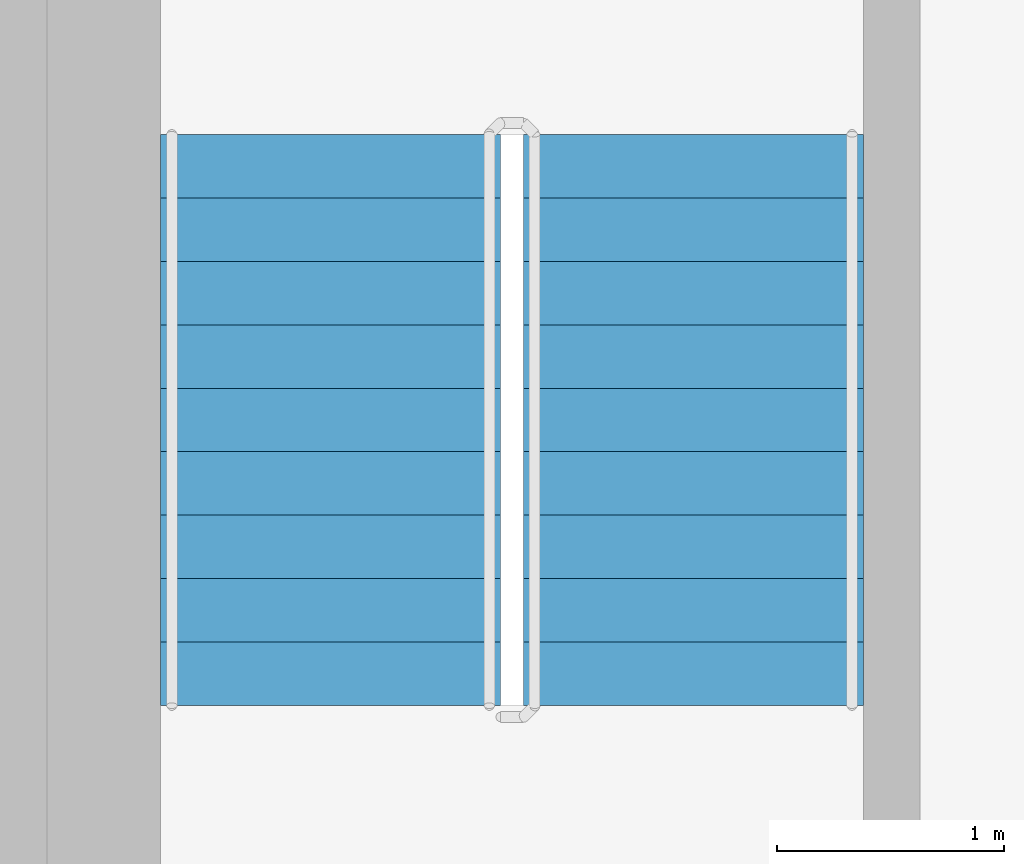
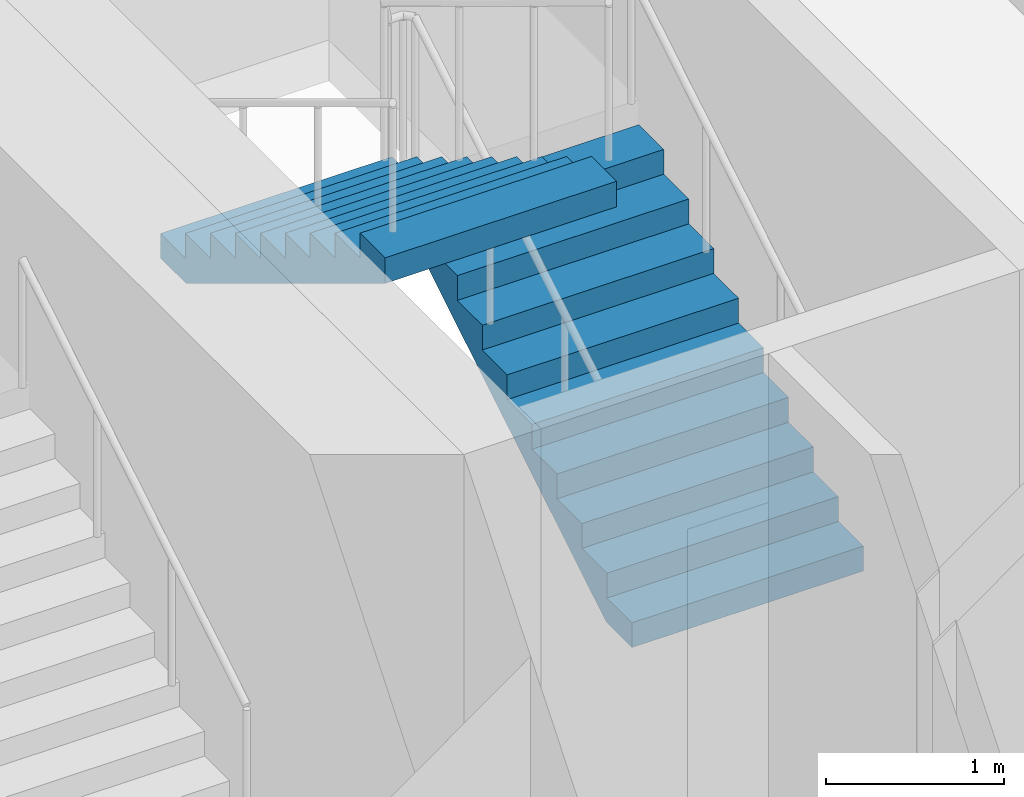
# One storey, part 13 of 22: 2 stair flights, 1 element without a shape of its own.
"""IFC4 building model written with IfcOpenShell, lengths in metres."""

from ifc_helpers import new_model, si_unit, direction, frame, origin, place, context, subcontext, project, spatial, triangles, source, transform, mapped, material, type_object, element, aggregate, save


model = new_model("IFC4")

# Units and contexts
model_context = context("Model", 3, precision=1e-05, world=origin(), true_north=direction((0.0, 1.0)))
body_context = subcontext(model_context, "Body", "Model", "MODEL_VIEW")
ifc_project = project(units=[si_unit("LENGTHUNIT", "METRE"), si_unit("AREAUNIT", "SQUARE_METRE"), si_unit("VOLUMEUNIT", "CUBIC_METRE"), si_unit("PLANEANGLEUNIT", "RADIAN"), si_unit("MASSUNIT", "GRAM", prefix="KILO")], contexts=[model_context])

# Site, building, storey
site_placement = place(None, origin())
site = spatial("IfcSite", under=ifc_project, at=site_placement, CompositionType="ELEMENT")
building_placement = place(site_placement, origin())
building = spatial("IfcBuilding", under=site, at=building_placement, Name="Kilnfold Tower and Market Hall", CompositionType="ELEMENT")
storey_placement = place(building_placement, frame((0.0, 0.0, 188.89990234375)))
storey = spatial("IfcBuildingStorey", under=building, at=storey_placement, Name="L45", CompositionType="ELEMENT", Elevation=188.89990234375)

# Stair, stair flights
ifc_material_1 = material(Name="Concrete C40/50", Category="concrete")
stair_type = type_object("IfcStairType", Name="CORE STAIR 1500", PredefinedType="HALF_TURN_STAIR", material=ifc_material_1)
stair_placement = place(storey_placement, origin())
stair = element("IfcStair", 1, at=stair_placement, inside=storey, type_object=stair_type, Name="L45 ST5", PredefinedType="HALF_TURN_STAIR")
ifc_material_2 = material(Name="Concrete C40/50", Category="concrete")
stair_flight_type = type_object("IfcStairFlightType", Name="CORE STAIR FLIGHT 1500", PredefinedType="STRAIGHT", material=ifc_material_2)
shared_shape = source(origin(), body_context, "Body", "Tessellation", [
    triangles([(0.0, 0.75, 0.0), (0.0, 0.65625, 0.0), (0.0, 0.5625, 0.0), (0.0, 0.46875, 0.0), (0.0, 0.375, 0.0), (0.0, 0.28125, 0.0), (0.0, 0.1875, 0.0), (0.0, 0.09375, 0.0), (0.0, 0.0, 0.0), (0.0, -0.09375, 0.0), (0.0, -0.1875, 0.0), (0.0, -0.28125, 0.0), (0.0, -0.375, 0.0), (0.0, -0.46875, 0.0), (0.0, -0.5625, 0.0), (0.0, -0.65625, 0.0), (0.0, -0.75, 0.0), (0.0, 0.75, 0.169921875), (0.0, 0.65625, 0.169921875), (0.0, 0.5625, 0.169921875), (0.0, 0.46875, 0.169921875), (0.0, 0.375, 0.169921875), (0.0, 0.28125, 0.169921875), (0.0, 0.1875, 0.169921875), (0.0, 0.09375, 0.169921875), (0.0, 0.0, 0.169921875), (0.0, -0.09375, 0.169921875), (0.0, -0.1875, 0.169921875), (0.0, -0.28125, 0.169921875), (0.0, -0.375, 0.169921875), (0.0, -0.46875, 0.169921875), (0.0, -0.5625, 0.169921875), (0.0, -0.65625, 0.169921875), (0.0, -0.75, 0.169921875), (0.280029296875, 0.75, 0.169921875), (0.280029296875, 0.65625, 0.169921875), (0.280029296875, 0.5625, 0.169921875), (0.280029296875, 0.46875, 0.169921875), (0.280029296875, 0.375, 0.169921875), (0.280029296875, 0.28125, 0.169921875), (0.280029296875, 0.1875, 0.169921875), (0.280029296875, 0.09375, 0.169921875), (0.280029296875, 0.0, 0.169921875), (0.280029296875, -0.09375, 0.169921875), (0.280029296875, -0.1875, 0.169921875), (0.280029296875, -0.28125, 0.169921875), (0.280029296875, -0.375, 0.169921875), (0.280029296875, -0.46875, 0.169921875), (0.280029296875, -0.5625, 0.169921875), (0.280029296875, -0.65625, 0.169921875), (0.280029296875, -0.75, 0.169921875), (0.280029296875, 0.75, 0.340087890625), (0.280029296875, 0.65625, 0.340087890625), (0.280029296875, 0.5625, 0.340087890625), (0.280029296875, 0.46875, 0.340087890625), (0.280029296875, 0.375, 0.340087890625), (0.280029296875, 0.28125, 0.340087890625), (0.280029296875, 0.1875, 0.340087890625), (0.280029296875, 0.09375, 0.340087890625), (0.280029296875, 0.0, 0.340087890625), (0.280029296875, -0.09375, 0.340087890625), (0.280029296875, -0.1875, 0.340087890625), (0.280029296875, -0.28125, 0.340087890625), (0.280029296875, -0.375, 0.340087890625), (0.280029296875, -0.46875, 0.340087890625), (0.280029296875, -0.5625, 0.340087890625), (0.280029296875, -0.65625, 0.340087890625), (0.280029296875, -0.75, 0.340087890625), (0.56005859375, 0.75, 0.340087890625), (0.56005859375, 0.65625, 0.340087890625), (0.56005859375, 0.5625, 0.340087890625), (0.56005859375, 0.46875, 0.340087890625), (0.56005859375, 0.375, 0.340087890625), (0.56005859375, 0.28125, 0.340087890625), (0.56005859375, 0.1875, 0.340087890625), (0.56005859375, 0.09375, 0.340087890625), (0.56005859375, 0.0, 0.340087890625), (0.56005859375, -0.09375, 0.340087890625), (0.56005859375, -0.1875, 0.340087890625), (0.56005859375, -0.28125, 0.340087890625), (0.56005859375, -0.375, 0.340087890625), (0.56005859375, -0.46875, 0.340087890625), (0.56005859375, -0.5625, 0.340087890625), (0.56005859375, -0.65625, 0.340087890625), (0.56005859375, -0.75, 0.340087890625), (0.56005859375, 0.75, 0.510009765625), (0.56005859375, 0.65625, 0.510009765625), (0.56005859375, 0.5625, 0.510009765625), (0.56005859375, 0.46875, 0.510009765625), (0.56005859375, 0.375, 0.510009765625), (0.56005859375, 0.28125, 0.510009765625), (0.56005859375, 0.1875, 0.510009765625), (0.56005859375, 0.09375, 0.510009765625), (0.56005859375, 0.0, 0.510009765625), (0.56005859375, -0.09375, 0.510009765625), (0.56005859375, -0.1875, 0.510009765625), (0.56005859375, -0.28125, 0.510009765625), (0.56005859375, -0.375, 0.510009765625), (0.56005859375, -0.46875, 0.510009765625), (0.56005859375, -0.5625, 0.510009765625), (0.56005859375, -0.65625, 0.510009765625), (0.56005859375, -0.75, 0.510009765625), (0.840087890625, 0.75, 0.510009765625), (0.840087890625, 0.65625, 0.510009765625), (0.840087890625, 0.5625, 0.510009765625), (0.840087890625, 0.46875, 0.510009765625), (0.840087890625, 0.375, 0.510009765625), (0.840087890625, 0.28125, 0.510009765625), (0.840087890625, 0.1875, 0.510009765625), (0.840087890625, 0.09375, 0.510009765625), (0.840087890625, 0.0, 0.510009765625), (0.840087890625, -0.09375, 0.510009765625), (0.840087890625, -0.1875, 0.510009765625), (0.840087890625, -0.28125, 0.510009765625), (0.840087890625, -0.375, 0.510009765625), (0.840087890625, -0.46875, 0.510009765625), (0.840087890625, -0.5625, 0.510009765625), (0.840087890625, -0.65625, 0.510009765625), (0.840087890625, -0.75, 0.510009765625), (0.840087890625, 0.75, 0.679931640625), (0.840087890625, 0.65625, 0.679931640625), (0.840087890625, 0.5625, 0.679931640625), (0.840087890625, 0.46875, 0.679931640625), (0.840087890625, 0.375, 0.679931640625), (0.840087890625, 0.28125, 0.679931640625), (0.840087890625, 0.1875, 0.679931640625), (0.840087890625, 0.09375, 0.679931640625), (0.840087890625, 0.0, 0.679931640625), (0.840087890625, -0.09375, 0.679931640625), (0.840087890625, -0.1875, 0.679931640625), (0.840087890625, -0.28125, 0.679931640625), (0.840087890625, -0.375, 0.679931640625), (0.840087890625, -0.46875, 0.679931640625), (0.840087890625, -0.5625, 0.679931640625), (0.840087890625, -0.65625, 0.679931640625), (0.840087890625, -0.75, 0.679931640625), (1.1201171875, 0.75, 0.679931640625), (1.1201171875, 0.65625, 0.679931640625), (1.1201171875, 0.5625, 0.679931640625), (1.1201171875, 0.46875, 0.679931640625), (1.1201171875, 0.375, 0.679931640625), (1.1201171875, 0.28125, 0.679931640625), (1.1201171875, 0.1875, 0.679931640625), (1.1201171875, 0.09375, 0.679931640625), (1.1201171875, 0.0, 0.679931640625), (1.1201171875, -0.09375, 0.679931640625), (1.1201171875, -0.1875, 0.679931640625), (1.1201171875, -0.28125, 0.679931640625), (1.1201171875, -0.375, 0.679931640625), (1.1201171875, -0.46875, 0.679931640625), (1.1201171875, -0.5625, 0.679931640625), (1.1201171875, -0.65625, 0.679931640625), (1.1201171875, -0.75, 0.679931640625), (1.1201171875, 0.75, 0.85009765625), (1.1201171875, 0.65625, 0.85009765625), (1.1201171875, 0.5625, 0.85009765625), (1.1201171875, 0.46875, 0.85009765625), (1.1201171875, 0.375, 0.85009765625), (1.1201171875, 0.28125, 0.85009765625), (1.1201171875, 0.1875, 0.85009765625), (1.1201171875, 0.09375, 0.85009765625), (1.1201171875, 0.0, 0.85009765625), (1.1201171875, -0.09375, 0.85009765625), (1.1201171875, -0.1875, 0.85009765625), (1.1201171875, -0.28125, 0.85009765625), (1.1201171875, -0.375, 0.85009765625), (1.1201171875, -0.46875, 0.85009765625), (1.1201171875, -0.5625, 0.85009765625), (1.1201171875, -0.65625, 0.85009765625), (1.1201171875, -0.75, 0.85009765625), (1.39990234375, 0.75, 0.85009765625), (1.39990234375, 0.65625, 0.85009765625), (1.39990234375, 0.5625, 0.85009765625), (1.39990234375, 0.46875, 0.85009765625), (1.39990234375, 0.375, 0.85009765625), (1.39990234375, 0.28125, 0.85009765625), (1.39990234375, 0.1875, 0.85009765625), (1.39990234375, 0.09375, 0.85009765625), (1.39990234375, 0.0, 0.85009765625), (1.39990234375, -0.09375, 0.85009765625), (1.39990234375, -0.1875, 0.85009765625), (1.39990234375, -0.28125, 0.85009765625), (1.39990234375, -0.375, 0.85009765625), (1.39990234375, -0.46875, 0.85009765625), (1.39990234375, -0.5625, 0.85009765625), (1.39990234375, -0.65625, 0.85009765625), (1.39990234375, -0.75, 0.85009765625), (1.39990234375, 0.75, 1.02001953125), (1.39990234375, 0.65625, 1.02001953125), (1.39990234375, 0.5625, 1.02001953125), (1.39990234375, 0.46875, 1.02001953125), (1.39990234375, 0.375, 1.02001953125), (1.39990234375, 0.28125, 1.02001953125), (1.39990234375, 0.1875, 1.02001953125), (1.39990234375, 0.09375, 1.02001953125), (1.39990234375, 0.0, 1.02001953125), (1.39990234375, -0.09375, 1.02001953125), (1.39990234375, -0.1875, 1.02001953125), (1.39990234375, -0.28125, 1.02001953125), (1.39990234375, -0.375, 1.02001953125), (1.39990234375, -0.46875, 1.02001953125), (1.39990234375, -0.5625, 1.02001953125), (1.39990234375, -0.65625, 1.02001953125), (1.39990234375, -0.75, 1.02001953125), (1.679931640625, 0.75, 1.02001953125), (1.679931640625, 0.65625, 1.02001953125), (1.679931640625, 0.5625, 1.02001953125), (1.679931640625, 0.46875, 1.02001953125), (1.679931640625, 0.375, 1.02001953125), (1.679931640625, 0.28125, 1.02001953125), (1.679931640625, 0.1875, 1.02001953125), (1.679931640625, 0.09375, 1.02001953125), (1.679931640625, 0.0, 1.02001953125), (1.679931640625, -0.09375, 1.02001953125), (1.679931640625, -0.1875, 1.02001953125), (1.679931640625, -0.28125, 1.02001953125), (1.679931640625, -0.375, 1.02001953125), (1.679931640625, -0.46875, 1.02001953125), (1.679931640625, -0.5625, 1.02001953125), (1.679931640625, -0.65625, 1.02001953125), (1.679931640625, -0.75, 1.02001953125), (1.679931640625, 0.75, 1.18994140625), (1.679931640625, 0.65625, 1.18994140625), (1.679931640625, 0.5625, 1.18994140625), (1.679931640625, 0.46875, 1.18994140625), (1.679931640625, 0.375, 1.18994140625), (1.679931640625, 0.28125, 1.18994140625), (1.679931640625, 0.1875, 1.18994140625), (1.679931640625, 0.09375, 1.18994140625), (1.679931640625, 0.0, 1.18994140625), (1.679931640625, -0.09375, 1.18994140625), (1.679931640625, -0.1875, 1.18994140625), (1.679931640625, -0.28125, 1.18994140625), (1.679931640625, -0.375, 1.18994140625), (1.679931640625, -0.46875, 1.18994140625), (1.679931640625, -0.5625, 1.18994140625), (1.679931640625, -0.65625, 1.18994140625), (1.679931640625, -0.75, 1.18994140625), (1.9599609375, 0.75, 1.18994140625), (1.9599609375, 0.65625, 1.18994140625), (1.9599609375, 0.5625, 1.18994140625), (1.9599609375, 0.46875, 1.18994140625), (1.9599609375, 0.375, 1.18994140625), (1.9599609375, 0.28125, 1.18994140625), (1.9599609375, 0.1875, 1.18994140625), (1.9599609375, 0.09375, 1.18994140625), (1.9599609375, 0.0, 1.18994140625), (1.9599609375, -0.09375, 1.18994140625), (1.9599609375, -0.1875, 1.18994140625), (1.9599609375, -0.28125, 1.18994140625), (1.9599609375, -0.375, 1.18994140625), (1.9599609375, -0.46875, 1.18994140625), (1.9599609375, -0.5625, 1.18994140625), (1.9599609375, -0.65625, 1.18994140625), (1.9599609375, -0.75, 1.18994140625), (1.9599609375, 0.75, 1.360107421875), (1.9599609375, 0.65625, 1.360107421875), (1.9599609375, 0.5625, 1.360107421875), (1.9599609375, 0.46875, 1.360107421875), (1.9599609375, 0.375, 1.360107421875), (1.9599609375, 0.28125, 1.360107421875), (1.9599609375, 0.1875, 1.360107421875), (1.9599609375, 0.09375, 1.360107421875), (1.9599609375, 0.0, 1.360107421875), (1.9599609375, -0.09375, 1.360107421875), (1.9599609375, -0.1875, 1.360107421875), (1.9599609375, -0.28125, 1.360107421875), (1.9599609375, -0.375, 1.360107421875), (1.9599609375, -0.46875, 1.360107421875), (1.9599609375, -0.5625, 1.360107421875), (1.9599609375, -0.65625, 1.360107421875), (1.9599609375, -0.75, 1.360107421875), (2.239990234375, 0.75, 1.360107421875), (2.239990234375, 0.65625, 1.360107421875), (2.239990234375, 0.5625, 1.360107421875), (2.239990234375, 0.46875, 1.360107421875), (2.239990234375, 0.375, 1.360107421875), (2.239990234375, 0.28125, 1.360107421875), (2.239990234375, 0.1875, 1.360107421875), (2.239990234375, 0.09375, 1.360107421875), (2.239990234375, 0.0, 1.360107421875), (2.239990234375, -0.09375, 1.360107421875), (2.239990234375, -0.1875, 1.360107421875), (2.239990234375, -0.28125, 1.360107421875), (2.239990234375, -0.375, 1.360107421875), (2.239990234375, -0.46875, 1.360107421875), (2.239990234375, -0.5625, 1.360107421875), (2.239990234375, -0.65625, 1.360107421875), (2.239990234375, -0.75, 1.360107421875), (2.239990234375, 0.75, 1.530029296875), (2.239990234375, 0.65625, 1.530029296875), (2.239990234375, 0.5625, 1.530029296875), (2.239990234375, 0.46875, 1.530029296875), (2.239990234375, 0.375, 1.530029296875), (2.239990234375, 0.28125, 1.530029296875), (2.239990234375, 0.1875, 1.530029296875), (2.239990234375, 0.09375, 1.530029296875), (2.239990234375, 0.0, 1.530029296875), (2.239990234375, -0.09375, 1.530029296875), (2.239990234375, -0.1875, 1.530029296875), (2.239990234375, -0.28125, 1.530029296875), (2.239990234375, -0.375, 1.530029296875), (2.239990234375, -0.46875, 1.530029296875), (2.239990234375, -0.5625, 1.530029296875), (2.239990234375, -0.65625, 1.530029296875), (2.239990234375, -0.75, 1.530029296875), (2.52001953125, 0.75, 1.530029296875), (2.52001953125, 0.65625, 1.530029296875), (2.52001953125, 0.5625, 1.530029296875), (2.52001953125, 0.46875, 1.530029296875), (2.52001953125, 0.375, 1.530029296875), (2.52001953125, 0.28125, 1.530029296875), (2.52001953125, 0.1875, 1.530029296875), (2.52001953125, 0.09375, 1.530029296875), (2.52001953125, 0.0, 1.530029296875), (2.52001953125, -0.09375, 1.530029296875), (2.52001953125, -0.1875, 1.530029296875), (2.52001953125, -0.28125, 1.530029296875), (2.52001953125, -0.375, 1.530029296875), (2.52001953125, -0.46875, 1.530029296875), (2.52001953125, -0.5625, 1.530029296875), (2.52001953125, -0.65625, 1.530029296875), (2.52001953125, -0.75, 1.530029296875), (2.52001953125, 0.75, 1.354736328125), (2.52001953125, 0.65625, 1.354736328125), (2.52001953125, 0.5625, 1.354736328125), (2.52001953125, 0.46875, 1.354736328125), (2.52001953125, 0.375, 1.354736328125), (2.52001953125, 0.28125, 1.354736328125), (2.52001953125, 0.1875, 1.354736328125), (2.52001953125, 0.09375, 1.354736328125), (2.52001953125, 0.0, 1.354736328125), (2.52001953125, -0.09375, 1.354736328125), (2.52001953125, -0.1875, 1.354736328125), (2.52001953125, -0.28125, 1.354736328125), (2.52001953125, -0.375, 1.354736328125), (2.52001953125, -0.46875, 1.354736328125), (2.52001953125, -0.5625, 1.354736328125), (2.52001953125, -0.65625, 1.354736328125), (2.52001953125, -0.75, 1.354736328125), (0.288818359375, 0.75, 0.0), (0.288818359375, 0.65625, 0.0), (0.288818359375, 0.5625, 0.0), (0.288818359375, 0.46875, 0.0), (0.288818359375, 0.375, 0.0), (0.288818359375, 0.28125, 0.0), (0.288818359375, 0.1875, 0.0), (0.288818359375, 0.09375, 0.0), (0.288818359375, 0.0, 0.0), (0.288818359375, -0.09375, 0.0), (0.288818359375, -0.1875, 0.0), (0.288818359375, -0.28125, 0.0), (0.288818359375, -0.375, 0.0), (0.288818359375, -0.46875, 0.0), (0.288818359375, -0.5625, 0.0), (0.288818359375, -0.65625, 0.0), (0.288818359375, -0.75, 0.0)], [[1, 324, 341], [17, 357, 340], [324, 290, 307], [340, 323, 306], [324, 273, 290], [340, 306, 289], [324, 256, 273], [340, 289, 272], [324, 239, 256], [340, 272, 255], [239, 205, 222], [255, 238, 221], [324, 205, 239], [340, 255, 221], [205, 171, 188], [221, 204, 187], [324, 171, 205], [340, 221, 187], [171, 137, 154], [187, 170, 153], [324, 137, 171], [340, 187, 153], [137, 103, 120], [153, 136, 119], [324, 103, 137], [340, 153, 119], [103, 69, 86], [119, 102, 85], [324, 69, 103], [340, 119, 85], [69, 35, 52], [85, 68, 51], [324, 35, 69], [340, 85, 51], [1, 35, 324], [17, 340, 51], [35, 1, 18], [51, 34, 17], [1, 19, 18], [1, 2, 19], [2, 20, 19], [2, 3, 20], [3, 21, 20], [3, 4, 21], [4, 22, 21], [4, 5, 22], [5, 23, 22], [5, 6, 23], [6, 24, 23], [6, 7, 24], [7, 25, 24], [7, 8, 25], [8, 26, 25], [8, 9, 26], [9, 27, 26], [9, 10, 27], [10, 28, 27], [10, 11, 28], [11, 29, 28], [11, 12, 29], [12, 30, 29], [12, 13, 30], [13, 31, 30], [13, 14, 31], [14, 32, 31], [14, 15, 32], [15, 33, 32], [15, 16, 33], [16, 34, 33], [16, 17, 34], [18, 36, 35], [18, 19, 36], [19, 37, 36], [19, 20, 37], [20, 38, 37], [20, 21, 38], [21, 39, 38], [21, 22, 39], [22, 40, 39], [22, 23, 40], [23, 41, 40], [23, 24, 41], [24, 42, 41], [24, 25, 42], [25, 43, 42], [25, 26, 43], [26, 44, 43], [26, 27, 44], [27, 45, 44], [27, 28, 45], [28, 46, 45], [28, 29, 46], [29, 47, 46], [29, 30, 47], [30, 48, 47], [30, 31, 48], [31, 49, 48], [31, 32, 49], [32, 50, 49], [32, 33, 50], [33, 51, 50], [33, 34, 51], [35, 53, 52], [35, 36, 53], [36, 54, 53], [36, 37, 54], [37, 55, 54], [37, 38, 55], [38, 56, 55], [38, 39, 56], [39, 57, 56], [39, 40, 57], [40, 58, 57], [40, 41, 58], [41, 59, 58], [41, 42, 59], [42, 60, 59], [42, 43, 60], [43, 61, 60], [43, 44, 61], [44, 62, 61], [44, 45, 62], [45, 63, 62], [45, 46, 63], [46, 64, 63], [46, 47, 64], [47, 65, 64], [47, 48, 65], [48, 66, 65], [48, 49, 66], [49, 67, 66], [49, 50, 67], [50, 68, 67], [50, 51, 68], [52, 70, 69], [52, 53, 70], [53, 71, 70], [53, 54, 71], [54, 72, 71], [54, 55, 72], [55, 73, 72], [55, 56, 73], [56, 74, 73], [56, 57, 74], [57, 75, 74], [57, 58, 75], [58, 76, 75], [58, 59, 76], [59, 77, 76], [59, 60, 77], [60, 78, 77], [60, 61, 78], [61, 79, 78], [61, 62, 79], [62, 80, 79], [62, 63, 80], [63, 81, 80], [63, 64, 81], [64, 82, 81], [64, 65, 82], [65, 83, 82], [65, 66, 83], [66, 84, 83], [66, 67, 84], [67, 85, 84], [67, 68, 85], [69, 87, 86], [69, 70, 87], [70, 88, 87], [70, 71, 88], [71, 89, 88], [71, 72, 89], [72, 90, 89], [72, 73, 90], [73, 91, 90], [73, 74, 91], [74, 92, 91], [74, 75, 92], [75, 93, 92], [75, 76, 93], [76, 94, 93], [76, 77, 94], [77, 95, 94], [77, 78, 95], [78, 96, 95], [78, 79, 96], [79, 97, 96], [79, 80, 97], [80, 98, 97], [80, 81, 98], [81, 99, 98], [81, 82, 99], [82, 100, 99], [82, 83, 100], [83, 101, 100], [83, 84, 101], [84, 102, 101], [84, 85, 102], [86, 104, 103], [86, 87, 104], [87, 105, 104], [87, 88, 105], [88, 106, 105], [88, 89, 106], [89, 107, 106], [89, 90, 107], [90, 108, 107], [90, 91, 108], [91, 109, 108], [91, 92, 109], [92, 110, 109], [92, 93, 110], [93, 111, 110], [93, 94, 111], [94, 112, 111], [94, 95, 112], [95, 113, 112], [95, 96, 113], [96, 114, 113], [96, 97, 114], [97, 115, 114], [97, 98, 115], [98, 116, 115], [98, 99, 116], [99, 117, 116], [99, 100, 117], [100, 118, 117], [100, 101, 118], [101, 119, 118], [101, 102, 119], [103, 121, 120], [103, 104, 121], [104, 122, 121], [104, 105, 122], [105, 123, 122], [105, 106, 123], [106, 124, 123], [106, 107, 124], [107, 125, 124], [107, 108, 125], [108, 126, 125], [108, 109, 126], [109, 127, 126], [109, 110, 127], [110, 128, 127], [110, 111, 128], [111, 129, 128], [111, 112, 129], [112, 130, 129], [112, 113, 130], [113, 131, 130], [113, 114, 131], [114, 132, 131], [114, 115, 132], [115, 133, 132], [115, 116, 133], [116, 134, 133], [116, 117, 134], [117, 135, 134], [117, 118, 135], [118, 136, 135], [118, 119, 136], [120, 138, 137], [120, 121, 138], [121, 139, 138], [121, 122, 139], [122, 140, 139], [122, 123, 140], [123, 141, 140], [123, 124, 141], [124, 142, 141], [124, 125, 142], [125, 143, 142], [125, 126, 143], [126, 144, 143], [126, 127, 144], [127, 145, 144], [127, 128, 145], [128, 146, 145], [128, 129, 146], [129, 147, 146], [129, 130, 147], [130, 148, 147], [130, 131, 148], [131, 149, 148], [131, 132, 149], [132, 150, 149], [132, 133, 150], [133, 151, 150], [133, 134, 151], [134, 152, 151], [134, 135, 152], [135, 153, 152], [135, 136, 153], [137, 155, 154], [137, 138, 155], [138, 156, 155], [138, 139, 156], [139, 157, 156], [139, 140, 157], [140, 158, 157], [140, 141, 158], [141, 159, 158], [141, 142, 159], [142, 160, 159], [142, 143, 160], [143, 161, 160], [143, 144, 161], [144, 162, 161], [144, 145, 162], [145, 163, 162], [145, 146, 163], [146, 164, 163], [146, 147, 164], [147, 165, 164], [147, 148, 165], [148, 166, 165], [148, 149, 166], [149, 167, 166], [149, 150, 167], [150, 168, 167], [150, 151, 168], [151, 169, 168], [151, 152, 169], [152, 170, 169], [152, 153, 170], [154, 172, 171], [154, 155, 172], [155, 173, 172], [155, 156, 173], [156, 174, 173], [156, 157, 174], [157, 175, 174], [157, 158, 175], [158, 176, 175], [158, 159, 176], [159, 177, 176], [159, 160, 177], [160, 178, 177], [160, 161, 178], [161, 179, 178], [161, 162, 179], [162, 180, 179], [162, 163, 180], [163, 181, 180], [163, 164, 181], [164, 182, 181], [164, 165, 182], [165, 183, 182], [165, 166, 183], [166, 184, 183], [166, 167, 184], [167, 185, 184], [167, 168, 185], [168, 186, 185], [168, 169, 186], [169, 187, 186], [169, 170, 187], [171, 189, 188], [171, 172, 189], [172, 190, 189], [172, 173, 190], [173, 191, 190], [173, 174, 191], [174, 192, 191], [174, 175, 192], [175, 193, 192], [175, 176, 193], [176, 194, 193], [176, 177, 194], [177, 195, 194], [177, 178, 195], [178, 196, 195], [178, 179, 196], [179, 197, 196], [179, 180, 197], [180, 198, 197], [180, 181, 198], [181, 199, 198], [181, 182, 199], [182, 200, 199], [182, 183, 200], [183, 201, 200], [183, 184, 201], [184, 202, 201], [184, 185, 202], [185, 203, 202], [185, 186, 203], [186, 204, 203], [186, 187, 204], [188, 206, 205], [188, 189, 206], [189, 207, 206], [189, 190, 207], [190, 208, 207], [190, 191, 208], [191, 209, 208], [191, 192, 209], [192, 210, 209], [192, 193, 210], [193, 211, 210], [193, 194, 211], [194, 212, 211], [194, 195, 212], [195, 213, 212], [195, 196, 213], [196, 214, 213], [196, 197, 214], [197, 215, 214], [197, 198, 215], [198, 216, 215], [198, 199, 216], [199, 217, 216], [199, 200, 217], [200, 218, 217], [200, 201, 218], [201, 219, 218], [201, 202, 219], [202, 220, 219], [202, 203, 220], [203, 221, 220], [203, 204, 221], [205, 223, 222], [205, 206, 223], [206, 224, 223], [206, 207, 224], [207, 225, 224], [207, 208, 225], [208, 226, 225], [208, 209, 226], [209, 227, 226], [209, 210, 227], [210, 228, 227], [210, 211, 228], [211, 229, 228], [211, 212, 229], [212, 230, 229], [212, 213, 230], [213, 231, 230], [213, 214, 231], [214, 232, 231], [214, 215, 232], [215, 233, 232], [215, 216, 233], [216, 234, 233], [216, 217, 234], [217, 235, 234], [217, 218, 235], [218, 236, 235], [218, 219, 236], [219, 237, 236], [219, 220, 237], [220, 238, 237], [220, 221, 238], [222, 240, 239], [222, 223, 240], [223, 241, 240], [223, 224, 241], [224, 242, 241], [224, 225, 242], [225, 243, 242], [225, 226, 243], [226, 244, 243], [226, 227, 244], [227, 245, 244], [227, 228, 245], [228, 246, 245], [228, 229, 246], [229, 247, 246], [229, 230, 247], [230, 248, 247], [230, 231, 248], [231, 249, 248], [231, 232, 249], [232, 250, 249], [232, 233, 250], [233, 251, 250], [233, 234, 251], [234, 252, 251], [234, 235, 252], [235, 253, 252], [235, 236, 253], [236, 254, 253], [236, 237, 254], [237, 255, 254], [237, 238, 255], [239, 257, 256], [239, 240, 257], [240, 258, 257], [240, 241, 258], [241, 259, 258], [241, 242, 259], [242, 260, 259], [242, 243, 260], [243, 261, 260], [243, 244, 261], [244, 262, 261], [244, 245, 262], [245, 263, 262], [245, 246, 263], [246, 264, 263], [246, 247, 264], [247, 265, 264], [247, 248, 265], [248, 266, 265], [248, 249, 266], [249, 267, 266], [249, 250, 267], [250, 268, 267], [250, 251, 268], [251, 269, 268], [251, 252, 269], [252, 270, 269], [252, 253, 270], [253, 271, 270], [253, 254, 271], [254, 272, 271], [254, 255, 272], [256, 274, 273], [256, 257, 274], [257, 275, 274], [257, 258, 275], [258, 276, 275], [258, 259, 276], [259, 277, 276], [259, 260, 277], [260, 278, 277], [260, 261, 278], [261, 279, 278], [261, 262, 279], [262, 280, 279], [262, 263, 280], [263, 281, 280], [263, 264, 281], [264, 282, 281], [264, 265, 282], [265, 283, 282], [265, 266, 283], [266, 284, 283], [266, 267, 284], [267, 285, 284], [267, 268, 285], [268, 286, 285], [268, 269, 286], [269, 287, 286], [269, 270, 287], [270, 288, 287], [270, 271, 288], [271, 289, 288], [271, 272, 289], [273, 291, 290], [273, 274, 291], [274, 292, 291], [274, 275, 292], [275, 293, 292], [275, 276, 293], [276, 294, 293], [276, 277, 294], [277, 295, 294], [277, 278, 295], [278, 296, 295], [278, 279, 296], [279, 297, 296], [279, 280, 297], [280, 298, 297], [280, 281, 298], [281, 299, 298], [281, 282, 299], [282, 300, 299], [282, 283, 300], [283, 301, 300], [283, 284, 301], [284, 302, 301], [284, 285, 302], [285, 303, 302], [285, 286, 303], [286, 304, 303], [286, 287, 304], [287, 305, 304], [287, 288, 305], [288, 306, 305], [288, 289, 306], [290, 308, 307], [290, 291, 308], [291, 309, 308], [291, 292, 309], [292, 310, 309], [292, 293, 310], [293, 311, 310], [293, 294, 311], [294, 312, 311], [294, 295, 312], [295, 313, 312], [295, 296, 313], [296, 314, 313], [296, 297, 314], [297, 315, 314], [297, 298, 315], [298, 316, 315], [298, 299, 316], [299, 317, 316], [299, 300, 317], [300, 318, 317], [300, 301, 318], [301, 319, 318], [301, 302, 319], [302, 320, 319], [302, 303, 320], [303, 321, 320], [303, 304, 321], [304, 322, 321], [304, 305, 322], [305, 323, 322], [305, 306, 323], [307, 325, 324], [307, 308, 325], [308, 326, 325], [308, 309, 326], [309, 327, 326], [309, 310, 327], [310, 328, 327], [310, 311, 328], [311, 329, 328], [311, 312, 329], [312, 330, 329], [312, 313, 330], [313, 331, 330], [313, 314, 331], [314, 332, 331], [314, 315, 332], [315, 333, 332], [315, 316, 333], [316, 334, 333], [316, 317, 334], [317, 335, 334], [317, 318, 335], [318, 336, 335], [318, 319, 336], [319, 337, 336], [319, 320, 337], [320, 338, 337], [320, 321, 338], [321, 339, 338], [321, 322, 339], [322, 340, 339], [322, 323, 340], [324, 342, 341], [324, 325, 342], [325, 343, 342], [325, 326, 343], [326, 344, 343], [326, 327, 344], [327, 345, 344], [327, 328, 345], [328, 346, 345], [328, 329, 346], [329, 347, 346], [329, 330, 347], [330, 348, 347], [330, 331, 348], [331, 349, 348], [331, 332, 349], [332, 350, 349], [332, 333, 350], [333, 351, 350], [333, 334, 351], [334, 352, 351], [334, 335, 352], [335, 353, 352], [335, 336, 353], [336, 354, 353], [336, 337, 354], [337, 355, 354], [337, 338, 355], [338, 356, 355], [338, 339, 356], [339, 357, 356], [339, 340, 357], [341, 2, 1], [341, 342, 2], [342, 3, 2], [342, 343, 3], [343, 4, 3], [343, 344, 4], [344, 5, 4], [344, 345, 5], [345, 6, 5], [345, 346, 6], [346, 7, 6], [346, 347, 7], [347, 8, 7], [347, 348, 8], [348, 9, 8], [348, 349, 9], [349, 10, 9], [349, 350, 10], [350, 11, 10], [350, 351, 11], [351, 12, 11], [351, 352, 12], [352, 13, 12], [352, 353, 13], [353, 14, 13], [353, 354, 14], [354, 15, 14], [354, 355, 15], [355, 16, 15], [355, 356, 16], [356, 17, 16], [356, 357, 17]], closed=True),
])
stair_flight_1_placement = place(storey_placement, frame((20.699951171875, 11.5, 0.0), z_axis=(0.0, 0.0, 1.0), x_axis=(0.0, 1.0, 0.0)))
stair_flight_1 = element("IfcStairFlight", 2, at=stair_flight_1_placement, type_object=stair_flight_type, Name="ST5 flight 1", NumberOfRisers=10, NumberOfTreads=9, PredefinedType="STRAIGHT", RiserHeight=0.17, TreadLength=0.28, context=body_context, shape_type="MappedRepresentation", body=[
    mapped(shared_shape, transform((0.0, 0.0, 0.0))),
])
stair_flight_2_placement = place(storey_placement, frame((19.10009765625, 14.02001953125, 1.7001953125), z_axis=(0.0, 0.0, 1.0), x_axis=(0.0, -1.0, 0.0)))
stair_flight_2 = element("IfcStairFlight", 3, at=stair_flight_2_placement, type_object=stair_flight_type, Name="ST5 flight 2", NumberOfRisers=10, NumberOfTreads=9, PredefinedType="STRAIGHT", RiserHeight=0.17, TreadLength=0.28, context=body_context, shape_type="MappedRepresentation", body=[
    mapped(shared_shape, transform((0.0, 0.0, 0.0))),
])
aggregate(stair, [stair_flight_1, stair_flight_2])

save(model, "model.ifc")
